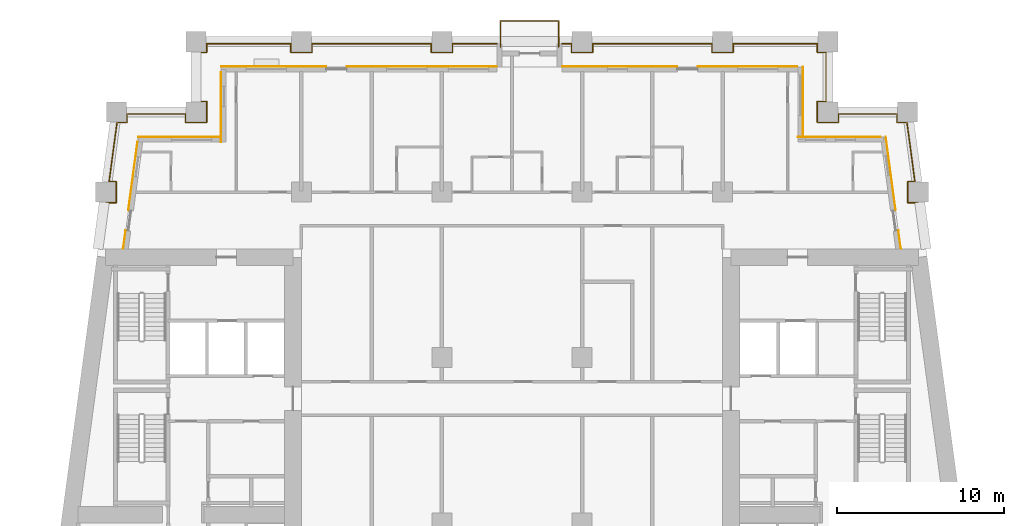
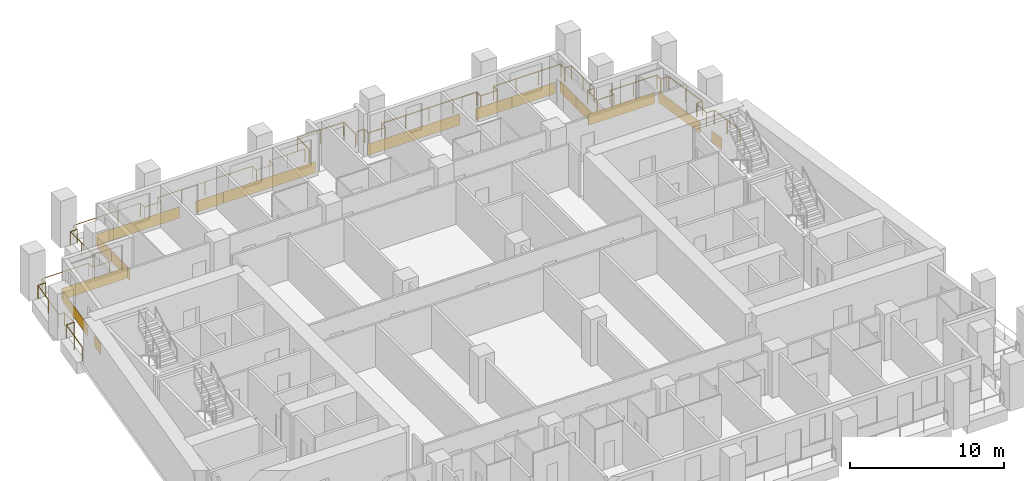
# One storey, part 13 of 14: 16 coverings, 3 railings.
"""IFC4 building model written with IfcOpenShell, lengths in metres."""

import ifcopenshell
import ifcopenshell.guid

model = None  # the IFC model being written
_history = None  # IfcOwnerHistory: only IFC2X3 demands one
_inside = {}  # id of a spatial element -> (the spatial element, [elements in it])
_under = {}  # id of a project, library or spatial element -> (it, [spatial elements below it])
_declared = {}  # id of a project -> (the project, [libraries it declares])
_typed = {}  # id of a type object -> (the type object, [elements of that type])
_made_of = {}  # id of a material, layer set ... -> (it, [elements and type objects made of it])


def new_model(schema):
    """Start an empty IFC model of exactly this schema.

    Asked for "IFC4X3", IfcOpenShell would pick the latest addendum, in which some entities
    have other attributes; the version numbers below select the first issue.
    IFC2X3 requires an IfcOwnerHistory on every rooted entity: one is made here for all.
    """
    global model, _history
    if schema == "IFC4X3":
        model = ifcopenshell.file(schema_version=(4, 3, 0, 0))
    else:
        model = ifcopenshell.file(schema=schema)
    _inside.clear()
    _under.clear()
    _declared.clear()
    _typed.clear()
    _made_of.clear()
    _history = None
    if model.schema == "IFC2X3":
        org = make("IfcOrganization", Name="unknown")
        user = make(
            "IfcPersonAndOrganization",
            ThePerson=make("IfcPerson", FamilyName="unknown"),
            TheOrganization=org,
        )
        app = make(
            "IfcApplication",
            ApplicationDeveloper=org,
            Version="unknown",
            ApplicationFullName="unknown",
            ApplicationIdentifier="unknown",
        )
        _history = make(
            "IfcOwnerHistory",
            OwningUser=user,
            OwningApplication=app,
            ChangeAction="ADDED",
            CreationDate=0,
        )
    return model


def make(cls, **values):
    """One entity of the class cls with the attributes given. An attribute that is None is left unset."""
    return model.create_entity(
        cls, **{name: value for name, value in values.items() if value is not None}
    )


def rooted(cls, **values):
    """An entity with a GlobalId (a new one), such as an element, a storey or a relation."""
    return make(cls, GlobalId=ifcopenshell.guid.new(), OwnerHistory=_history, **values)


def si_unit(unit_type, name, prefix=None):
    """IfcSIUnit, for example si_unit("LENGTHUNIT", "METRE", prefix="MILLI")."""
    return make("IfcSIUnit", UnitType=unit_type, Prefix=prefix, Name=name)


def assignment(units):
    """IfcUnitAssignment: the units of a project."""
    return None if units is None else make("IfcUnitAssignment", Units=units)


def point(xyz):
    """IfcCartesianPoint."""
    return None if xyz is None else make("IfcCartesianPoint", Coordinates=xyz)


def direction(xyz):
    """IfcDirection."""
    return None if xyz is None else make("IfcDirection", DirectionRatios=xyz)


def frame(location, z_axis=None, x_axis=None):
    """IfcAxis2Placement3D, a coordinate frame: its origin and axes. An axis left out is left unset."""
    return make(
        "IfcAxis2Placement3D",
        Location=point(location),
        Axis=direction(z_axis),
        RefDirection=direction(x_axis),
    )


def frame_2d(location, x_axis=None):
    """IfcAxis2Placement2D, a coordinate frame in the plane: its origin and x axis."""
    return make(
        "IfcAxis2Placement2D", Location=point(location), RefDirection=direction(x_axis)
    )


def origin():
    """The frame at (0, 0, 0) with its axes left unset."""
    return frame((0.0, 0.0, 0.0))


def origin_2d():
    """The frame at (0, 0) in the plane with its x axis left unset."""
    return frame_2d((0.0, 0.0))


def place(relative_to, where):
    """IfcLocalPlacement: puts the frame where relative to a parent placement (None: the world)."""
    return make(
        "IfcLocalPlacement", PlacementRelTo=relative_to, RelativePlacement=where
    )


def context(
    kind, dimensions, precision=None, world=None, true_north=None, identifier=None
):
    """IfcGeometricRepresentationContext, for example the 3D "Model" context."""
    return make(
        "IfcGeometricRepresentationContext",
        ContextIdentifier=identifier,
        ContextType=kind,
        CoordinateSpaceDimension=dimensions,
        Precision=precision,
        WorldCoordinateSystem=world,
        TrueNorth=true_north,
    )


def subcontext(parent, identifier, kind, view, scale=None):
    """IfcGeometricRepresentationSubContext, for example "Body" below "Model"."""
    return make(
        "IfcGeometricRepresentationSubContext",
        ContextIdentifier=identifier,
        ContextType=kind,
        ParentContext=parent,
        TargetScale=scale,
        TargetView=view,
    )


def project(units=None, contexts=None):
    """IfcProject with its units and contexts."""
    return rooted(
        "IfcProject",
        Name="project",
        RepresentationContexts=contexts,
        UnitsInContext=assignment(units),
    )


def spatial(cls, under=None, at=None, **own):
    """A site, building, storey or space (cls), placed at a placement, below another one or the project."""
    s = rooted(cls, ObjectPlacement=at, **own)
    if under is not None:
        _under.setdefault(under.id(), (under, []))[1].append(s)
    return s


def profile(cls, at=None, kind="AREA", **sizes):
    """A parametric profile (cls). Its sizes go by their IFC names, for example OverallWidth=200.0."""
    return make(cls, ProfileType=kind, Position=at, **sizes)


def rectangle(**sizes):
    """IfcRectangleProfileDef."""
    return profile("IfcRectangleProfileDef", **sizes)


def circle(**sizes):
    """IfcCircleProfileDef."""
    return profile("IfcCircleProfileDef", **sizes)


def extrude(swept, where, along, depth):
    """IfcExtrudedAreaSolid: the profile swept, set in the frame where, extruded along a direction by depth."""
    return make(
        "IfcExtrudedAreaSolid",
        SweptArea=swept,
        Position=where,
        ExtrudedDirection=direction(along),
        Depth=depth,
    )


def shape(context_of_items, identifier, shape_type, items):
    """IfcShapeRepresentation: the items that make up one representation, for example the "Body"."""
    return make(
        "IfcShapeRepresentation",
        ContextOfItems=context_of_items,
        RepresentationIdentifier=identifier,
        RepresentationType=shape_type,
        Items=items,
    )


def material(Name=None, Category=None):
    """IfcMaterial."""
    return make("IfcMaterial", Name=Name, Category=Category)


def layer(
    of_material, thickness, ventilated=None, Name=None, Category=None, Priority=None
):
    """IfcMaterialLayer: one layer of a wall or slab, of a material (None: an air gap)."""
    return make(
        "IfcMaterialLayer",
        Material=of_material,
        LayerThickness=thickness,
        IsVentilated=ventilated,
        Name=Name,
        Category=Category,
        Priority=Priority,
    )


def layer_set(layers, Name=None):
    """IfcMaterialLayerSet."""
    return make("IfcMaterialLayerSet", MaterialLayers=layers, LayerSetName=Name)


def made_of(thing, what):
    """Note that an element or type object is made of a material, layer set ...; save() writes the relation."""
    if what is not None:
        _made_of.setdefault(what.id(), (what, []))[1].append(thing)
    return thing


def type_object(cls, material=None, **own):
    """A type object (cls), such as IfcWallType, which elements share."""
    return made_of(rooted(cls, **own), material)


def element(
    cls,
    number,
    at=None,
    inside=None,
    cuts=None,
    type_object=None,
    material=None,
    context=None,
    identifier="Body",
    shape_type=None,
    held_by="IfcProductDefinitionShape",
    body=None,
    shapes=None,
    **own,
):
    """One element of the class cls, such as IfcWall. Its Tag is "e" and its number.

    at: its placement. inside: the storey or other place that contains it. cuts: it is an
    opening in that element (IfcRelVoidsElement). A single representation is given by context,
    identifier, shape_type and body (its items); several are given by shapes. held_by: the class
    of the entity that holds the representations. save() writes the other relations.
    """
    e = rooted(cls, Tag="e%d" % number, ObjectPlacement=at, **own)
    if body is not None:
        shapes = [shape(context, identifier, shape_type, body)]
    if shapes is not None:
        e.Representation = make(held_by, Representations=shapes)
    if inside is not None:
        _inside.setdefault(inside.id(), (inside, []))[1].append(e)
    if cuts is not None:
        rooted(
            "IfcRelVoidsElement", RelatingBuildingElement=cuts, RelatedOpeningElement=e
        )
    if type_object is not None:
        _typed.setdefault(type_object.id(), (type_object, []))[1].append(e)
    return made_of(e, material)


def aggregate(whole, parts):
    """IfcRelAggregates: a whole, such as a stair, and the parts it consists of."""
    return rooted("IfcRelAggregates", RelatingObject=whole, RelatedObjects=parts)


def save(model, path):
    """Write the relations noted so far, then the file.

    IfcRelAggregates (storeys below a building ...), IfcRelContainedInSpatialStructure (elements
    in a storey), IfcRelDefinesByType, IfcRelAssociatesMaterial and IfcRelDeclares: one each for
    every whole, place, type object, material and project.
    """
    for whole, parts in _under.values():
        aggregate(whole, parts)
    for where, things in _inside.values():
        rooted(
            "IfcRelContainedInSpatialStructure",
            RelatedElements=things,
            RelatingStructure=where,
        )
    for kind, things in _typed.values():
        rooted("IfcRelDefinesByType", RelatedObjects=things, RelatingType=kind)
    for what, things in _made_of.values():
        rooted("IfcRelAssociatesMaterial", RelatedObjects=things, RelatingMaterial=what)
    for by, libraries in _declared.values():
        rooted("IfcRelDeclares", RelatingContext=by, RelatedDefinitions=libraries)
    model.write(path)


model = new_model("IFC4")

# Units and contexts
model_context = context("Model", 3, precision=1e-05, world=origin(), true_north=direction((0.0, 1.0)))
body_context = subcontext(model_context, "Body", "Model", "MODEL_VIEW")
ifc_project = project(units=[si_unit("LENGTHUNIT", "METRE"), si_unit("AREAUNIT", "SQUARE_METRE"), si_unit("VOLUMEUNIT", "CUBIC_METRE"), si_unit("PLANEANGLEUNIT", "RADIAN"), si_unit("MASSUNIT", "GRAM", prefix="KILO")], contexts=[model_context])

# Site, building, storey
site_placement = place(None, origin())
site = spatial("IfcSite", under=ifc_project, at=site_placement, CompositionType="ELEMENT")
building_placement = place(site_placement, origin())
building = spatial("IfcBuilding", under=site, at=building_placement, Name="Candeia Pilgrim Tower and Theatre", CompositionType="ELEMENT")
storey_placement = place(building_placement, frame((0.0, 0.0, 124.300048828125)))
storey = spatial("IfcBuildingStorey", under=building, at=storey_placement, Name="L29", CompositionType="ELEMENT", Elevation=124.300048828125)

# Railings
ifc_material_1 = material(Name="Stainless steel balustrade", Category="steel")
railing_type = type_object("IfcRailingType", Name="G1 loggia guard 1100", PredefinedType="GUARDRAIL", material=ifc_material_1)
railing_1_placement = place(storey_placement, frame((88.758544921875, 132.449951171875, 0.0)))
element("IfcRailing", 1, at=railing_1_placement, inside=storey, type_object=railing_type, Name="Guard L29.2", PredefinedType="GUARDRAIL", context=body_context, shape_type="SweptSolid", body=[
    extrude(circle(Radius=0.02392578125, at=origin_2d()), frame((0.0, 0.0, 1.076171875), z_axis=(0.133433855259, 0.991057720958, 0.0), x_axis=(-0.991057720958, 0.133433855259, 0.0)), (0.0, 0.0, 1.0), 2.74462890625),
    extrude(circle(Radius=0.02392578125, at=origin_2d()), frame((0.3662109375, 2.719970703125, 1.076171875), z_axis=(1.0, 0.0, 0.0), x_axis=(0.0, 1.0, 0.0)), (0.0, 0.0, 1.0), 0.59375),
    extrude(circle(Radius=0.02392578125, at=origin_2d()), frame((0.9599609375, 2.719970703125, 1.076171875), z_axis=(0.0, 1.0, 0.0), x_axis=(-1.0, 0.0, 0.0)), (0.0, 0.0, 1.0), 1.260009765625),
    extrude(circle(Radius=0.02392578125, at=origin_2d()), frame((0.9599609375, 3.97998046875, 1.076171875), z_axis=(-1.0, 0.0, 0.0), x_axis=(0.0, -1.0, 0.0)), (0.0, 0.0, 1.0), 0.424072265625),
    extrude(circle(Radius=0.02392578125, at=origin_2d()), frame((0.535888671875, 3.97998046875, 1.076171875), z_axis=(0.133417176173, 0.991059966451, 0.0), x_axis=(-0.991059966451, 0.133417176173, 0.0)), (0.0, 0.0, 1.0), 3.572021484375),
    extrude(circle(Radius=0.02392578125, at=origin_2d()), frame((1.012451171875, 7.52001953125, 1.076171875), z_axis=(1.0, 0.0, 0.0), x_axis=(0.0, 1.0, 0.0)), (0.0, 0.0, 1.0), 0.593505859375),
    extrude(circle(Radius=0.02392578125, at=origin_2d()), frame((1.60595703125, 7.52001953125, 1.076171875), z_axis=(0.0, 1.0, 0.0), x_axis=(-1.0, 0.0, 0.0)), (0.0, 0.0, 1.0), 0.510009765625),
    extrude(circle(Radius=0.02392578125, at=origin_2d()), frame((1.60595703125, 8.030029296875, 1.076171875), z_axis=(1.0, 0.0, 0.0), x_axis=(0.0, 1.0, 0.0)), (0.0, 0.0, 1.0), 3.505615234375),
    extrude(circle(Radius=0.02392578125, at=origin_2d()), frame((5.111572265625, 8.030029296875, 1.076171875), z_axis=(0.0, -1.0, 0.0), x_axis=(1.0, 0.0, 0.0)), (0.0, 0.0, 1.0), 0.510009765625),
    extrude(circle(Radius=0.02392578125, at=origin_2d()), frame((5.111572265625, 7.52001953125, 1.076171875), z_axis=(1.0, 0.0, 0.0), x_axis=(0.0, 1.0, 0.0)), (0.0, 0.0, 1.0), 1.259765625),
    extrude(circle(Radius=0.02392578125, at=origin_2d()), frame((6.371337890625, 7.52001953125, 1.076171875), z_axis=(0.0, 1.0, 0.0), x_axis=(-1.0, 0.0, 0.0)), (0.0, 0.0, 1.0), 1.260009765625),
    extrude(circle(Radius=0.02392578125, at=origin_2d()), frame((6.371337890625, 8.780029296875, 1.076171875), z_axis=(-1.0, 0.0, 0.0), x_axis=(0.0, -1.0, 0.0)), (0.0, 0.0, 1.0), 0.509765625),
    extrude(circle(Radius=0.02392578125, at=origin_2d()), frame((5.861572265625, 8.780029296875, 1.076171875), z_axis=(0.0, 1.0, 0.0), x_axis=(-1.0, 0.0, 0.0)), (0.0, 0.0, 1.0), 2.93994140625),
    extrude(circle(Radius=0.02392578125, at=origin_2d()), frame((5.861572265625, 11.719970703125, 1.076171875), z_axis=(1.0, 0.0, 0.0), x_axis=(0.0, 1.0, 0.0)), (0.0, 0.0, 1.0), 0.509765625),
    extrude(circle(Radius=0.02392578125, at=origin_2d()), frame((6.371337890625, 11.719970703125, 1.076171875), z_axis=(0.0, 1.0, 0.0), x_axis=(-1.0, 0.0, 0.0)), (0.0, 0.0, 1.0), 0.510009765625),
    extrude(circle(Radius=0.02392578125, at=origin_2d()), frame((6.371337890625, 12.22998046875, 1.076171875), z_axis=(1.0, 0.0, 0.0), x_axis=(0.0, 1.0, 0.0)), (0.0, 0.0, 1.0), 5.0400390625),
    extrude(circle(Radius=0.02392578125, at=origin_2d()), frame((11.411376953125, 12.22998046875, 1.076171875), z_axis=(0.0, -1.0, 0.0), x_axis=(1.0, 0.0, 0.0)), (0.0, 0.0, 1.0), 0.510009765625),
    extrude(circle(Radius=0.02392578125, at=origin_2d()), frame((11.411376953125, 11.719970703125, 1.076171875), z_axis=(1.0, 0.0, 0.0), x_axis=(0.0, 1.0, 0.0)), (0.0, 0.0, 1.0), 1.260009765625),
    extrude(circle(Radius=0.02392578125, at=origin_2d()), frame((12.67138671875, 11.719970703125, 1.076171875), z_axis=(0.0, 1.0, 0.0), x_axis=(-1.0, 0.0, 0.0)), (0.0, 0.0, 1.0), 0.510009765625),
    extrude(circle(Radius=0.02392578125, at=origin_2d()), frame((12.67138671875, 12.22998046875, 1.076171875), z_axis=(1.0, 0.0, 0.0), x_axis=(0.0, 1.0, 0.0)), (0.0, 0.0, 1.0), 7.14013671875),
    extrude(circle(Radius=0.02392578125, at=origin_2d()), frame((19.8115234375, 12.22998046875, 1.076171875), z_axis=(0.0, -1.0, 0.0), x_axis=(1.0, 0.0, 0.0)), (0.0, 0.0, 1.0), 0.510009765625),
    extrude(circle(Radius=0.02392578125, at=origin_2d()), frame((19.8115234375, 11.719970703125, 1.076171875), z_axis=(1.0, 0.0, 0.0), x_axis=(0.0, 1.0, 0.0)), (0.0, 0.0, 1.0), 1.260009765625),
    extrude(circle(Radius=0.02392578125, at=origin_2d()), frame((21.071533203125, 11.719970703125, 1.076171875), z_axis=(0.0, 1.0, 0.0), x_axis=(-1.0, 0.0, 0.0)), (0.0, 0.0, 1.0), 0.510009765625),
    extrude(circle(Radius=0.02392578125, at=origin_2d()), frame((21.071533203125, 12.22998046875, 1.076171875), z_axis=(1.0, 0.0, 0.0), x_axis=(0.0, 1.0, 0.0)), (0.0, 0.0, 1.0), 2.669921875),
    extrude(circle(Radius=0.02099609375, at=origin_2d()), origin(), (0.0, 0.0, 1.0), 1.052001953125),
    extrude(circle(Radius=0.02099609375, at=origin_2d()), frame((0.18310546875, 1.35986328125, 0.0)), (0.0, 0.0, 1.0), 1.052001953125),
    extrude(circle(Radius=0.02099609375, at=origin_2d()), frame((0.3662109375, 2.719970703125, 0.0)), (0.0, 0.0, 1.0), 1.052001953125),
    extrude(circle(Radius=0.02099609375, at=origin_2d()), frame((0.9599609375, 2.719970703125, 0.0)), (0.0, 0.0, 1.0), 1.052001953125),
    extrude(circle(Radius=0.02099609375, at=origin_2d()), frame((0.9599609375, 3.97998046875, 0.0)), (0.0, 0.0, 1.0), 1.052001953125),
    extrude(circle(Radius=0.02099609375, at=origin_2d()), frame((0.535888671875, 3.97998046875, 0.0)), (0.0, 0.0, 1.0), 1.052001953125),
    extrude(circle(Radius=0.02099609375, at=origin_2d()), frame((0.774169921875, 5.75, 0.0)), (0.0, 0.0, 1.0), 1.052001953125),
    extrude(circle(Radius=0.02099609375, at=origin_2d()), frame((1.012451171875, 7.52001953125, 0.0)), (0.0, 0.0, 1.0), 1.052001953125),
    extrude(circle(Radius=0.02099609375, at=origin_2d()), frame((1.60595703125, 7.52001953125, 0.0)), (0.0, 0.0, 1.0), 1.052001953125),
    extrude(circle(Radius=0.02099609375, at=origin_2d()), frame((1.60595703125, 8.030029296875, 0.0)), (0.0, 0.0, 1.0), 1.052001953125),
    extrude(circle(Radius=0.02099609375, at=origin_2d()), frame((3.35888671875, 8.030029296875, 0.0)), (0.0, 0.0, 1.0), 1.052001953125),
    extrude(circle(Radius=0.02099609375, at=origin_2d()), frame((5.111572265625, 8.030029296875, 0.0)), (0.0, 0.0, 1.0), 1.052001953125),
    extrude(circle(Radius=0.02099609375, at=origin_2d()), frame((5.111572265625, 7.52001953125, 0.0)), (0.0, 0.0, 1.0), 1.052001953125),
    extrude(circle(Radius=0.02099609375, at=origin_2d()), frame((6.371337890625, 7.52001953125, 0.0)), (0.0, 0.0, 1.0), 1.052001953125),
    extrude(circle(Radius=0.02099609375, at=origin_2d()), frame((6.371337890625, 8.780029296875, 0.0)), (0.0, 0.0, 1.0), 1.052001953125),
    extrude(circle(Radius=0.02099609375, at=origin_2d()), frame((5.861572265625, 8.780029296875, 0.0)), (0.0, 0.0, 1.0), 1.052001953125),
    extrude(circle(Radius=0.02099609375, at=origin_2d()), frame((5.861572265625, 10.25, 0.0)), (0.0, 0.0, 1.0), 1.052001953125),
    extrude(circle(Radius=0.02099609375, at=origin_2d()), frame((5.861572265625, 11.719970703125, 0.0)), (0.0, 0.0, 1.0), 1.052001953125),
    extrude(circle(Radius=0.02099609375, at=origin_2d()), frame((6.371337890625, 11.719970703125, 0.0)), (0.0, 0.0, 1.0), 1.052001953125),
    extrude(circle(Radius=0.02099609375, at=origin_2d()), frame((6.371337890625, 12.22998046875, 0.0)), (0.0, 0.0, 1.0), 1.052001953125),
    extrude(circle(Radius=0.02099609375, at=origin_2d()), frame((8.05126953125, 12.22998046875, 0.0)), (0.0, 0.0, 1.0), 1.052001953125),
    extrude(circle(Radius=0.02099609375, at=origin_2d()), frame((9.7314453125, 12.22998046875, 0.0)), (0.0, 0.0, 1.0), 1.052001953125),
    extrude(circle(Radius=0.02099609375, at=origin_2d()), frame((11.411376953125, 12.22998046875, 0.0)), (0.0, 0.0, 1.0), 1.052001953125),
    extrude(circle(Radius=0.02099609375, at=origin_2d()), frame((11.411376953125, 11.719970703125, 0.0)), (0.0, 0.0, 1.0), 1.052001953125),
    extrude(circle(Radius=0.02099609375, at=origin_2d()), frame((12.67138671875, 11.719970703125, 0.0)), (0.0, 0.0, 1.0), 1.052001953125),
    extrude(circle(Radius=0.02099609375, at=origin_2d()), frame((12.67138671875, 12.22998046875, 0.0)), (0.0, 0.0, 1.0), 1.052001953125),
    extrude(circle(Radius=0.02099609375, at=origin_2d()), frame((14.45654296875, 12.22998046875, 0.0)), (0.0, 0.0, 1.0), 1.052001953125),
    extrude(circle(Radius=0.02099609375, at=origin_2d()), frame((16.241455078125, 12.22998046875, 0.0)), (0.0, 0.0, 1.0), 1.052001953125),
    extrude(circle(Radius=0.02099609375, at=origin_2d()), frame((18.0263671875, 12.22998046875, 0.0)), (0.0, 0.0, 1.0), 1.052001953125),
    extrude(circle(Radius=0.02099609375, at=origin_2d()), frame((19.8115234375, 12.22998046875, 0.0)), (0.0, 0.0, 1.0), 1.052001953125),
    extrude(circle(Radius=0.02099609375, at=origin_2d()), frame((19.8115234375, 11.719970703125, 0.0)), (0.0, 0.0, 1.0), 1.052001953125),
    extrude(circle(Radius=0.02099609375, at=origin_2d()), frame((21.071533203125, 11.719970703125, 0.0)), (0.0, 0.0, 1.0), 1.052001953125),
    extrude(circle(Radius=0.02099609375, at=origin_2d()), frame((21.071533203125, 12.22998046875, 0.0)), (0.0, 0.0, 1.0), 1.052001953125),
    extrude(circle(Radius=0.02099609375, at=origin_2d()), frame((22.406494140625, 12.22998046875, 0.0)), (0.0, 0.0, 1.0), 1.052001953125),
    extrude(circle(Radius=0.02099609375, at=origin_2d()), frame((23.741455078125, 12.22998046875, 0.0)), (0.0, 0.0, 1.0), 1.052001953125),
])
railing_2_placement = place(storey_placement, frame((116.39990234375, 144.679931640625, 0.0)))
element("IfcRailing", 2, at=railing_2_placement, inside=storey, type_object=railing_type, Name="Guard L29.3", PredefinedType="GUARDRAIL", context=body_context, shape_type="SweptSolid", body=[
    extrude(circle(Radius=0.02392578125, at=origin_2d()), frame((0.0, 0.0, 1.076171875), z_axis=(1.0, 0.0, 0.0), x_axis=(0.0, 1.0, 0.0)), (0.0, 0.0, 1.0), 0.570068359375),
    extrude(circle(Radius=0.02392578125, at=origin_2d()), frame((0.570068359375, 0.0, 1.076171875), z_axis=(0.0, -1.0, 0.0), x_axis=(1.0, 0.0, 0.0)), (0.0, 0.0, 1.0), 0.510009765625),
    extrude(circle(Radius=0.02392578125, at=origin_2d()), frame((0.570068359375, -0.510009765625, 1.076171875), z_axis=(1.0, 0.0, 0.0), x_axis=(0.0, 1.0, 0.0)), (0.0, 0.0, 1.0), 1.260009765625),
    extrude(circle(Radius=0.02392578125, at=origin_2d()), frame((1.830078125, -0.510009765625, 1.076171875), z_axis=(0.0, 1.0, 0.0), x_axis=(-1.0, 0.0, 0.0)), (0.0, 0.0, 1.0), 0.510009765625),
    extrude(circle(Radius=0.02392578125, at=origin_2d()), frame((1.830078125, 0.0, 1.076171875), z_axis=(1.0, 0.0, 0.0), x_axis=(0.0, 1.0, 0.0)), (0.0, 0.0, 1.0), 7.14013671875),
    extrude(circle(Radius=0.02392578125, at=origin_2d()), frame((8.97021484375, 0.0, 1.076171875), z_axis=(0.0, -1.0, 0.0), x_axis=(1.0, 0.0, 0.0)), (0.0, 0.0, 1.0), 0.510009765625),
    extrude(circle(Radius=0.02392578125, at=origin_2d()), frame((8.97021484375, -0.510009765625, 1.076171875), z_axis=(1.0, 0.0, 0.0), x_axis=(0.0, 1.0, 0.0)), (0.0, 0.0, 1.0), 1.259765625),
    extrude(circle(Radius=0.02392578125, at=origin_2d()), frame((10.22998046875, -0.510009765625, 1.076171875), z_axis=(0.0, 1.0, 0.0), x_axis=(-1.0, 0.0, 0.0)), (0.0, 0.0, 1.0), 0.510009765625),
    extrude(circle(Radius=0.02392578125, at=origin_2d()), frame((10.22998046875, 0.0, 1.076171875), z_axis=(1.0, 0.0, 0.0), x_axis=(0.0, 1.0, 0.0)), (0.0, 0.0, 1.0), 5.0400390625),
    extrude(circle(Radius=0.02392578125, at=origin_2d()), frame((15.27001953125, 0.0, 1.076171875), z_axis=(0.0, -1.0, 0.0), x_axis=(1.0, 0.0, 0.0)), (0.0, 0.0, 1.0), 0.510009765625),
    extrude(circle(Radius=0.02392578125, at=origin_2d()), frame((15.27001953125, -0.510009765625, 1.076171875), z_axis=(1.0, 0.0, 0.0), x_axis=(0.0, 1.0, 0.0)), (0.0, 0.0, 1.0), 0.510009765625),
    extrude(circle(Radius=0.02392578125, at=origin_2d()), frame((15.780029296875, -0.510009765625, 1.076171875), z_axis=(0.0, -1.0, 0.0), x_axis=(1.0, 0.0, 0.0)), (0.0, 0.0, 1.0), 2.93994140625),
    extrude(circle(Radius=0.02392578125, at=origin_2d()), frame((15.780029296875, -3.449951171875, 1.076171875), z_axis=(-1.0, 0.0, 0.0), x_axis=(0.0, -1.0, 0.0)), (0.0, 0.0, 1.0), 0.510009765625),
    extrude(circle(Radius=0.02392578125, at=origin_2d()), frame((15.27001953125, -3.449951171875, 1.076171875), z_axis=(0.0, -1.0, 0.0), x_axis=(1.0, 0.0, 0.0)), (0.0, 0.0, 1.0), 1.260009765625),
    extrude(circle(Radius=0.02392578125, at=origin_2d()), frame((15.27001953125, -4.7099609375, 1.076171875), z_axis=(1.0, 0.0, 0.0), x_axis=(0.0, 1.0, 0.0)), (0.0, 0.0, 1.0), 1.260009765625),
    extrude(circle(Radius=0.02392578125, at=origin_2d()), frame((16.530029296875, -4.7099609375, 1.076171875), z_axis=(0.0, 1.0, 0.0), x_axis=(-1.0, 0.0, 0.0)), (0.0, 0.0, 1.0), 0.510009765625),
    extrude(circle(Radius=0.02392578125, at=origin_2d()), frame((16.530029296875, -4.199951171875, 1.076171875), z_axis=(1.0, 0.0, 0.0), x_axis=(0.0, 1.0, 0.0)), (0.0, 0.0, 1.0), 3.50537109375),
    extrude(circle(Radius=0.02392578125, at=origin_2d()), frame((20.035400390625, -4.199951171875, 1.076171875), z_axis=(0.0, -1.0, 0.0), x_axis=(1.0, 0.0, 0.0)), (0.0, 0.0, 1.0), 0.510009765625),
    extrude(circle(Radius=0.02392578125, at=origin_2d()), frame((20.035400390625, -4.7099609375, 1.076171875), z_axis=(1.0, 0.0, 0.0), x_axis=(0.0, 1.0, 0.0)), (0.0, 0.0, 1.0), 0.59375),
    extrude(circle(Radius=0.02392578125, at=origin_2d()), frame((20.629150390625, -4.7099609375, 1.076171875), z_axis=(0.133417176173, -0.991059966451, 0.0), x_axis=(0.991059966451, 0.133417176173, 0.0)), (0.0, 0.0, 1.0), 3.572021484375),
    extrude(circle(Radius=0.02392578125, at=origin_2d()), frame((21.105712890625, -8.25, 1.076171875), z_axis=(-1.0, 0.0, 0.0), x_axis=(0.0, -1.0, 0.0)), (0.0, 0.0, 1.0), 0.424072265625),
    extrude(circle(Radius=0.02392578125, at=origin_2d()), frame((20.681640625, -8.25, 1.076171875), z_axis=(0.0, -1.0, 0.0), x_axis=(1.0, 0.0, 0.0)), (0.0, 0.0, 1.0), 1.260009765625),
    extrude(circle(Radius=0.02392578125, at=origin_2d()), frame((20.681640625, -9.510009765625, 1.076171875), z_axis=(1.0, 0.0, 0.0), x_axis=(0.0, 1.0, 0.0)), (0.0, 0.0, 1.0), 0.59375),
    extrude(circle(Radius=0.02392578125, at=origin_2d()), frame((21.275390625, -9.510009765625, 1.076171875), z_axis=(0.133433855259, -0.991057720958, 0.0), x_axis=(0.991057720958, 0.133433855259, 0.0)), (0.0, 0.0, 1.0), 2.74462890625),
    extrude(circle(Radius=0.02099609375, at=origin_2d()), origin(), (0.0, 0.0, 1.0), 1.052001953125),
    extrude(circle(Radius=0.02099609375, at=origin_2d()), frame((0.570068359375, 0.0, 0.0)), (0.0, 0.0, 1.0), 1.052001953125),
    extrude(circle(Radius=0.02099609375, at=origin_2d()), frame((0.570068359375, -0.510009765625, 0.0)), (0.0, 0.0, 1.0), 1.052001953125),
    extrude(circle(Radius=0.02099609375, at=origin_2d()), frame((1.830078125, -0.510009765625, 0.0)), (0.0, 0.0, 1.0), 1.052001953125),
    extrude(circle(Radius=0.02099609375, at=origin_2d()), frame((1.830078125, 0.0, 0.0)), (0.0, 0.0, 1.0), 1.052001953125),
    extrude(circle(Radius=0.02099609375, at=origin_2d()), frame((3.615234375, 0.0, 0.0)), (0.0, 0.0, 1.0), 1.052001953125),
    extrude(circle(Radius=0.02099609375, at=origin_2d()), frame((5.400146484375, 0.0, 0.0)), (0.0, 0.0, 1.0), 1.052001953125),
    extrude(circle(Radius=0.02099609375, at=origin_2d()), frame((7.18505859375, 0.0, 0.0)), (0.0, 0.0, 1.0), 1.052001953125),
    extrude(circle(Radius=0.02099609375, at=origin_2d()), frame((8.97021484375, 0.0, 0.0)), (0.0, 0.0, 1.0), 1.052001953125),
    extrude(circle(Radius=0.02099609375, at=origin_2d()), frame((8.97021484375, -0.510009765625, 0.0)), (0.0, 0.0, 1.0), 1.052001953125),
    extrude(circle(Radius=0.02099609375, at=origin_2d()), frame((10.22998046875, -0.510009765625, 0.0)), (0.0, 0.0, 1.0), 1.052001953125),
    extrude(circle(Radius=0.02099609375, at=origin_2d()), frame((10.22998046875, 0.0, 0.0)), (0.0, 0.0, 1.0), 1.052001953125),
    extrude(circle(Radius=0.02099609375, at=origin_2d()), frame((11.909912109375, 0.0, 0.0)), (0.0, 0.0, 1.0), 1.052001953125),
    extrude(circle(Radius=0.02099609375, at=origin_2d()), frame((13.590087890625, 0.0, 0.0)), (0.0, 0.0, 1.0), 1.052001953125),
    extrude(circle(Radius=0.02099609375, at=origin_2d()), frame((15.27001953125, 0.0, 0.0)), (0.0, 0.0, 1.0), 1.052001953125),
    extrude(circle(Radius=0.02099609375, at=origin_2d()), frame((15.27001953125, -0.510009765625, 0.0)), (0.0, 0.0, 1.0), 1.052001953125),
    extrude(circle(Radius=0.02099609375, at=origin_2d()), frame((15.780029296875, -0.510009765625, 0.0)), (0.0, 0.0, 1.0), 1.052001953125),
    extrude(circle(Radius=0.02099609375, at=origin_2d()), frame((15.780029296875, -1.97998046875, 0.0)), (0.0, 0.0, 1.0), 1.052001953125),
    extrude(circle(Radius=0.02099609375, at=origin_2d()), frame((15.780029296875, -3.449951171875, 0.0)), (0.0, 0.0, 1.0), 1.052001953125),
    extrude(circle(Radius=0.02099609375, at=origin_2d()), frame((15.27001953125, -3.449951171875, 0.0)), (0.0, 0.0, 1.0), 1.052001953125),
    extrude(circle(Radius=0.02099609375, at=origin_2d()), frame((15.27001953125, -4.7099609375, 0.0)), (0.0, 0.0, 1.0), 1.052001953125),
    extrude(circle(Radius=0.02099609375, at=origin_2d()), frame((16.530029296875, -4.7099609375, 0.0)), (0.0, 0.0, 1.0), 1.052001953125),
    extrude(circle(Radius=0.02099609375, at=origin_2d()), frame((16.530029296875, -4.199951171875, 0.0)), (0.0, 0.0, 1.0), 1.052001953125),
    extrude(circle(Radius=0.02099609375, at=origin_2d()), frame((18.28271484375, -4.199951171875, 0.0)), (0.0, 0.0, 1.0), 1.052001953125),
    extrude(circle(Radius=0.02099609375, at=origin_2d()), frame((20.035400390625, -4.199951171875, 0.0)), (0.0, 0.0, 1.0), 1.052001953125),
    extrude(circle(Radius=0.02099609375, at=origin_2d()), frame((20.035400390625, -4.7099609375, 0.0)), (0.0, 0.0, 1.0), 1.052001953125),
    extrude(circle(Radius=0.02099609375, at=origin_2d()), frame((20.629150390625, -4.7099609375, 0.0)), (0.0, 0.0, 1.0), 1.052001953125),
    extrude(circle(Radius=0.02099609375, at=origin_2d()), frame((20.867431640625, -6.47998046875, 0.0)), (0.0, 0.0, 1.0), 1.052001953125),
    extrude(circle(Radius=0.02099609375, at=origin_2d()), frame((21.105712890625, -8.25, 0.0)), (0.0, 0.0, 1.0), 1.052001953125),
    extrude(circle(Radius=0.02099609375, at=origin_2d()), frame((20.681640625, -8.25, 0.0)), (0.0, 0.0, 1.0), 1.052001953125),
    extrude(circle(Radius=0.02099609375, at=origin_2d()), frame((20.681640625, -9.510009765625, 0.0)), (0.0, 0.0, 1.0), 1.052001953125),
    extrude(circle(Radius=0.02099609375, at=origin_2d()), frame((21.275390625, -9.510009765625, 0.0)), (0.0, 0.0, 1.0), 1.052001953125),
    extrude(circle(Radius=0.02099609375, at=origin_2d()), frame((21.45849609375, -10.8701171875, 0.0)), (0.0, 0.0, 1.0), 1.052001953125),
    extrude(circle(Radius=0.02099609375, at=origin_2d()), frame((21.6416015625, -12.22998046875, 0.0)), (0.0, 0.0, 1.0), 1.052001953125),
])
railing_3_placement = place(storey_placement, frame((112.7099609375, 144.5, 0.0)))
element("IfcRailing", 3, at=railing_3_placement, inside=storey, type_object=railing_type, Name="Balcony guard L29", PredefinedType="GUARDRAIL", context=body_context, shape_type="SweptSolid", body=[
    extrude(circle(Radius=0.02392578125, at=origin_2d()), frame((0.0, 0.0, 1.076171875), z_axis=(0.0, 1.0, 0.0), x_axis=(-1.0, 0.0, 0.0)), (0.0, 0.0, 1.0), 1.5400390625),
    extrude(circle(Radius=0.02392578125, at=origin_2d()), frame((0.0, 1.5400390625, 1.076171875), z_axis=(1.0, 0.0, 0.0), x_axis=(0.0, 1.0, 0.0)), (0.0, 0.0, 1.0), 3.47998046875),
    extrude(circle(Radius=0.02392578125, at=origin_2d()), frame((3.47998046875, 1.5400390625, 1.076171875), z_axis=(0.0, -1.0, 0.0), x_axis=(1.0, 0.0, 0.0)), (0.0, 0.0, 1.0), 1.5400390625),
    extrude(circle(Radius=0.02099609375, at=origin_2d()), origin(), (0.0, 0.0, 1.0), 1.052001953125),
    extrude(circle(Radius=0.02099609375, at=origin_2d()), frame((0.0, 1.5400390625, 0.0)), (0.0, 0.0, 1.0), 1.052001953125),
    extrude(circle(Radius=0.02099609375, at=origin_2d()), frame((1.739990234375, 1.5400390625, 0.0)), (0.0, 0.0, 1.0), 1.052001953125),
    extrude(circle(Radius=0.02099609375, at=origin_2d()), frame((3.47998046875, 1.5400390625, 0.0)), (0.0, 0.0, 1.0), 1.052001953125),
    extrude(circle(Radius=0.02099609375, at=origin_2d()), frame((3.47998046875, 0.0, 0.0)), (0.0, 0.0, 1.0), 1.052001953125),
])

# Coverings
ifc_material_2 = material(Name="Glazed ceramic tile red")
ifc_layer_1 = layer(ifc_material_2, 0.02001953125)
ifc_layer_set_1 = layer_set([ifc_layer_1], Name="Glazed ceramic tile red")
covering_type_1 = type_object("IfcCoveringType", Name="Glazed ceramic tile red", PredefinedType="CLADDING", material=ifc_layer_set_1)
covering_1_placement = place(storey_placement, frame((132.976318359375, 139.110107421875, 0.0), z_axis=(0.0, 0.0, 1.0), x_axis=(-1.0, 0.0, 0.0)))
element("IfcCovering", 4, at=covering_1_placement, inside=storey, type_object=covering_type_1, Name="Tile cladding red L29", PredefinedType="CLADDING", context=body_context, shape_type="SweptSolid", body=[
    extrude(rectangle(XDim=4.95263671875, YDim=0.02001953125, at=origin_2d()), origin(), (0.0, 0.0, 1.0), 0.89990234375),
])
covering_2_placement = place(storey_placement, frame((130.81005859375, 142.25, 0.0), z_axis=(0.0, 0.0, 1.0), x_axis=(0.0, 1.0, 0.0)))
element("IfcCovering", 5, at=covering_2_placement, inside=storey, type_object=covering_type_1, Name="Tile cladding red L29", PredefinedType="CLADDING", context=body_context, shape_type="SweptSolid", body=[
    extrude(rectangle(XDim=2.10009765625, YDim=0.02001953125, at=origin_2d()), origin(), (0.0, 0.0, 1.0), 0.89990234375),
])
covering_3_placement = place(storey_placement, frame((128.840087890625, 143.31005859375, 0.0), z_axis=(0.0, 0.0, 1.0), x_axis=(-1.0, 0.0, 0.0)))
element("IfcCovering", 6, at=covering_3_placement, inside=storey, type_object=covering_type_1, Name="Tile cladding red L29", PredefinedType="CLADDING", context=body_context, shape_type="SweptSolid", body=[
    extrude(rectangle(XDim=3.280029296875, YDim=0.02001953125, at=origin_2d()), origin(), (0.0, 0.0, 1.0), 0.89990234375),
])
covering_4_placement = place(storey_placement, frame((104.550048828125, 143.31005859375, 0.0), z_axis=(0.0, 0.0, 1.0), x_axis=(-1.0, 0.0, 0.0)))
element("IfcCovering", 7, at=covering_4_placement, inside=storey, type_object=covering_type_1, Name="Tile cladding red L29", PredefinedType="CLADDING", context=body_context, shape_type="SweptSolid", body=[
    extrude(rectangle(XDim=2.10009765625, YDim=0.02001953125, at=origin_2d()), origin(), (0.0, 0.0, 1.0), 0.89990234375),
])
covering_5_placement = place(storey_placement, frame((99.14990234375, 143.31005859375, 0.0), z_axis=(0.0, 0.0, 1.0), x_axis=(-1.0, 0.0, 0.0)))
element("IfcCovering", 8, at=covering_5_placement, inside=storey, type_object=covering_type_1, Name="Tile cladding red L29", PredefinedType="CLADDING", context=body_context, shape_type="SweptSolid", body=[
    extrude(rectangle(XDim=6.300048828125, YDim=0.02001953125, at=origin_2d()), origin(), (0.0, 0.0, 1.0), 0.89990234375),
])
covering_6_placement = place(storey_placement, frame((95.989990234375, 142.090087890625, 0.0), z_axis=(0.0, 0.0, 1.0), x_axis=(0.0, -1.0, 0.0)))
element("IfcCovering", 9, at=covering_6_placement, inside=storey, type_object=covering_type_1, Name="Tile cladding red L29", PredefinedType="CLADDING", context=body_context, shape_type="SweptSolid", body=[
    extrude(rectangle(XDim=1.780029296875, YDim=0.02001953125, at=origin_2d()), origin(), (0.0, 0.0, 1.0), 0.89990234375),
])
covering_7_placement = place(storey_placement, frame((93.51318359375, 139.110107421875, 0.0), z_axis=(0.0, 0.0, 1.0), x_axis=(-1.0, 0.0, 0.0)))
element("IfcCovering", 10, at=covering_7_placement, inside=storey, type_object=covering_type_1, Name="Tile cladding red L29", PredefinedType="CLADDING", context=body_context, shape_type="SweptSolid", body=[
    extrude(rectangle(XDim=4.933837890625, YDim=0.02001953125, at=origin_2d()), origin(), (0.0, 0.0, 1.0), 0.89990234375),
])
ifc_material_3 = material(Name="Glazed ceramic tile rust")
ifc_layer_2 = layer(ifc_material_3, 0.02001953125)
ifc_layer_set_2 = layer_set([ifc_layer_2], Name="Glazed ceramic tile rust")
covering_type_2 = type_object("IfcCoveringType", Name="Glazed ceramic tile rust", PredefinedType="CLADDING", material=ifc_layer_set_2)
covering_8_placement = place(storey_placement, frame((136.588623046875, 132.97412109375, 0.0), z_axis=(0.0, 0.0, 1.0), x_axis=(-0.133412012145, 0.991060661622, 0.0)))
element("IfcCovering", 11, at=covering_8_placement, inside=storey, type_object=covering_type_2, Name="Tile cladding rust L29", PredefinedType="CLADDING", context=body_context, shape_type="SweptSolid", body=[
    extrude(rectangle(XDim=1.115234375, YDim=0.02001953125, at=origin_2d()), origin(), (0.0, 0.0, 1.0), 0.89990234375),
])
covering_9_placement = place(storey_placement, frame((136.058837890625, 136.90869140625, 0.0), z_axis=(0.0, 0.0, 1.0), x_axis=(-0.133412012145, 0.991060661622, 0.0)))
element("IfcCovering", 12, at=covering_9_placement, inside=storey, type_object=covering_type_2, Name="Tile cladding rust L29", PredefinedType="CLADDING", context=body_context, shape_type="SweptSolid", body=[
    extrude(rectangle(XDim=4.4248046875, YDim=0.02001953125, at=origin_2d()), origin(), (0.0, 0.0, 1.0), 0.89990234375),
])
covering_10_placement = place(storey_placement, frame((130.81005859375, 140.159912109375, 0.0), z_axis=(0.0, 0.0, 1.0), x_axis=(0.0, 1.0, 0.0)))
element("IfcCovering", 13, at=covering_10_placement, inside=storey, type_object=covering_type_2, Name="Tile cladding rust L29", PredefinedType="CLADDING", context=body_context, shape_type="SweptSolid", body=[
    extrude(rectangle(XDim=2.080078125, YDim=0.02001953125, at=origin_2d()), origin(), (0.0, 0.0, 1.0), 0.89990234375),
])
covering_11_placement = place(storey_placement, frame((125.85009765625, 143.31005859375, 0.0), z_axis=(0.0, 0.0, 1.0), x_axis=(-1.0, 0.0, 0.0)))
element("IfcCovering", 14, at=covering_11_placement, inside=storey, type_object=covering_type_2, Name="Tile cladding rust L29", PredefinedType="CLADDING", context=body_context, shape_type="SweptSolid", body=[
    extrude(rectangle(XDim=2.699951171875, YDim=0.02001953125, at=origin_2d()), origin(), (0.0, 0.0, 1.0), 0.89990234375),
])
for number, where, z_axis, x_axis, name in (
    (15, (119.85009765625, 143.31005859375, 0.0), (0.0, 0.0, 1.0), (-1.0, 0.0, 0.0), "Tile cladding rust L29"),
    (16, (109.050048828125, 143.31005859375, 0.0), (0.0, 0.0, 1.0), (-1.0, 0.0, 0.0), "Tile cladding rust L29"),
):
    element("IfcCovering", number, at=place(storey_placement, frame(where, z_axis=z_axis, x_axis=x_axis)), inside=storey, type_object=covering_type_2, Name=name, PredefinedType="CLADDING", context=body_context, shape_type="SweptSolid", body=[
        extrude(rectangle(XDim=6.89990234375, YDim=0.02001953125, at=origin_2d()), origin(), (0.0, 0.0, 1.0), 0.89990234375),
    ])
covering_12_placement = place(storey_placement, frame((95.989990234375, 140.0, 0.0), z_axis=(0.0, 0.0, 1.0), x_axis=(0.0, -1.0, 0.0)))
element("IfcCovering", 17, at=covering_12_placement, inside=storey, type_object=covering_type_2, Name="Tile cladding rust L29", PredefinedType="CLADDING", context=body_context, shape_type="SweptSolid", body=[
    extrude(rectangle(XDim=2.39990234375, YDim=0.02001953125, at=origin_2d()), origin(), (0.0, 0.0, 1.0), 0.89990234375),
])
covering_13_placement = place(storey_placement, frame((90.720947265625, 136.759521484375, 0.0), z_axis=(0.0, 0.0, 1.0), x_axis=(-0.133412012145, -0.991060661622, 0.0)))
element("IfcCovering", 18, at=covering_13_placement, inside=storey, type_object=covering_type_2, Name="Tile cladding rust L29", PredefinedType="CLADDING", context=body_context, shape_type="SweptSolid", body=[
    extrude(rectangle(XDim=4.123779296875, YDim=0.02001953125, at=origin_2d()), origin(), (0.0, 0.0, 1.0), 0.89990234375),
])
covering_14_placement = place(storey_placement, frame((90.21142578125, 132.97412109375, 0.0), z_axis=(0.0, 0.0, 1.0), x_axis=(-0.133412012145, -0.991060661622, 0.0)))
element("IfcCovering", 19, at=covering_14_placement, inside=storey, type_object=covering_type_2, Name="Tile cladding rust L29", PredefinedType="CLADDING", context=body_context, shape_type="SweptSolid", body=[
    extrude(rectangle(XDim=1.115234375, YDim=0.02001953125, at=origin_2d()), origin(), (0.0, 0.0, 1.0), 0.89990234375),
])

save(model, "model.ifc")
